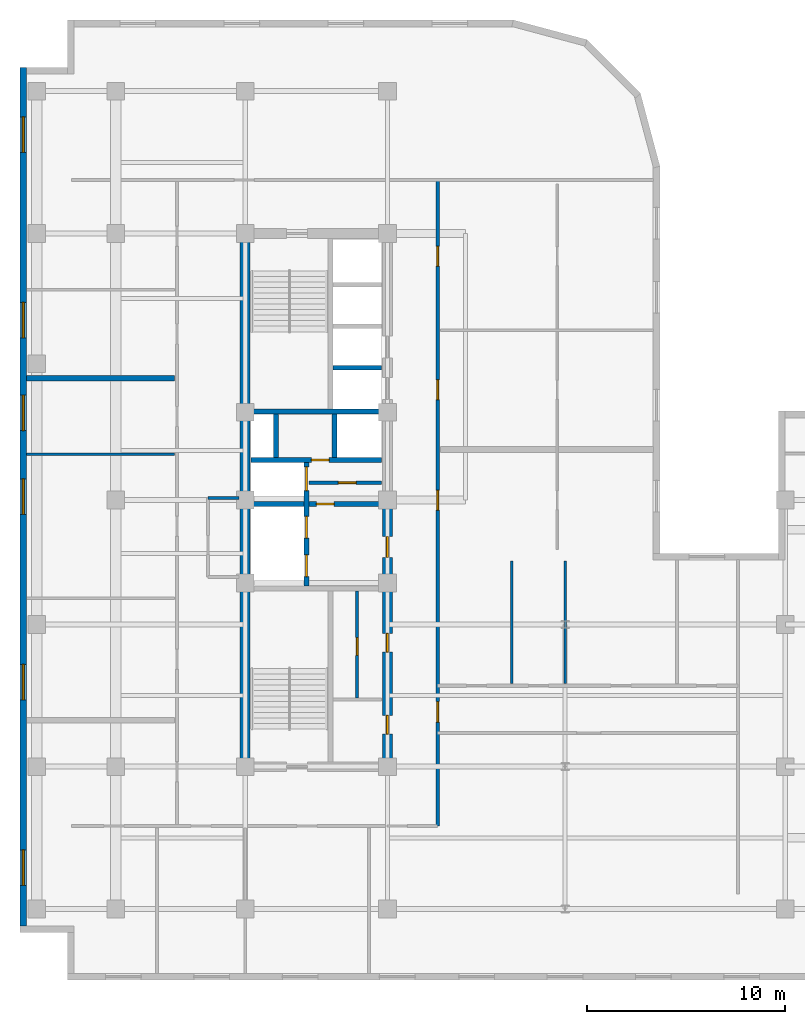
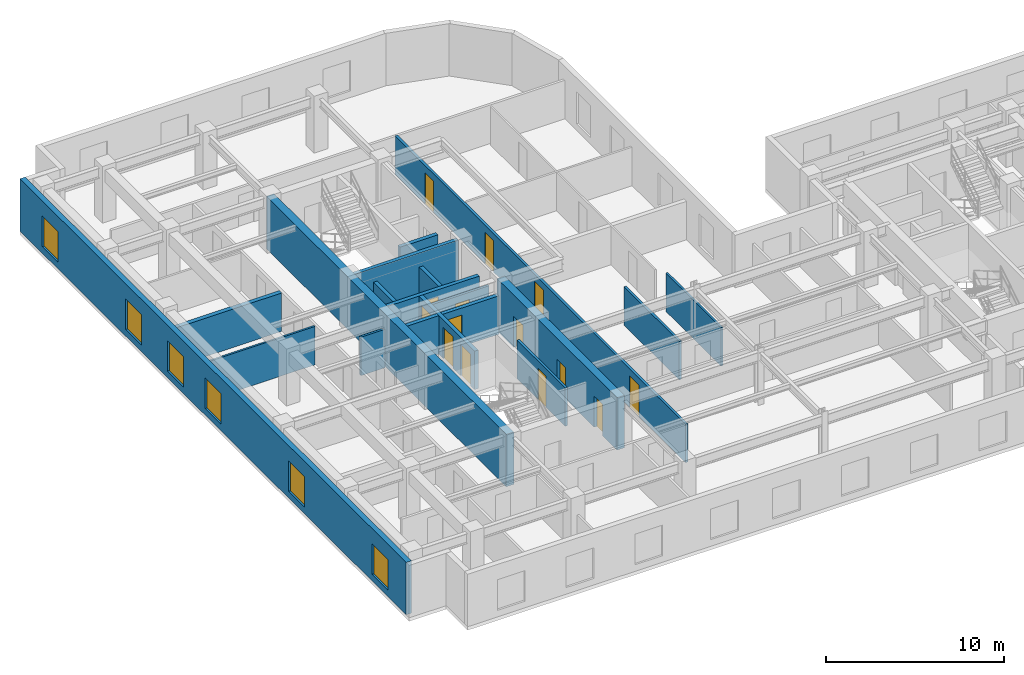
# One storey, part 5 of 11: 18 walls, 14 doors, 6 windows, 20 openings.
"""IFC4 building model written with IfcOpenShell, lengths in metres."""

from ifc_helpers import new_model, entity, si_unit, converted_unit, direction, frame, origin_with_axes, origin_2d_with_axis, place, context, subcontext, project, spatial, polyline, rectangle, outline, extrude, material, layer, layer_set, type_object, element, fill, save


model = new_model("IFC4")

# Units and contexts
model_context = context("Model", 3, precision=1e-05, world=origin_with_axes(), true_north=direction((0.0, 1.0)))
body_context = subcontext(model_context, "Body", "Model", "MODEL_VIEW")
ifc_project = project(units=[si_unit("LENGTHUNIT", "METRE"), si_unit("AREAUNIT", "SQUARE_METRE"), si_unit("VOLUMEUNIT", "CUBIC_METRE"), converted_unit("PLANEANGLEUNIT", "DEGREE", entity("IfcPlaneAngleMeasure", 0.017453292519943295), si_unit("PLANEANGLEUNIT", "RADIAN"), dimensions=[0, 0, 0, 0, 0, 0, 0]), si_unit("MASSUNIT", "GRAM", prefix="KILO"), si_unit("THERMODYNAMICTEMPERATUREUNIT", "KELVIN")], contexts=[model_context])

# Site, building, storey
site_placement = place(None, origin_with_axes())
site = spatial("IfcSite", under=ifc_project, at=site_placement, CompositionType="ELEMENT")
building_placement = place(site_placement, origin_with_axes())
building = spatial("IfcBuilding", under=site, at=building_placement, Name="Varnlund Millrace Tower", CompositionType="ELEMENT")
storey_placement = place(building_placement, frame((0.0, 0.0, 216.0), z_axis=(0.0, 0.0, 1.0), x_axis=(1.0, 0.0, 0.0)))
storey = spatial("IfcBuildingStorey", under=building, at=storey_placement, Name="L53", CompositionType="ELEMENT", Elevation=216.0)

# Wall
ifc_material_1 = material(Name="Concrete C70/85", Category="concrete")
ifc_layer_1 = layer(ifc_material_1, 0.5, Name="Concrete C70/85")
ifc_layer_set_1 = layer_set([ifc_layer_1], Name="Concrete C70/85")
wall_type_1 = type_object("IfcWallType", Name="Type-CoreWall-Shear-500-C70", PredefinedType="SHEAR", material=ifc_layer_set_1)
wall_1_placement = place(storey_placement, frame((11.4, 10.8, 0.0), z_axis=(0.0, 0.0, 1.0), x_axis=(0.0, 1.0, 0.0)))
element("IfcWall", 1, at=wall_1_placement, inside=storey, type_object=wall_type_1, Name="Type-CoreWall-Shear-500-C70", PredefinedType="SHEAR", context=body_context, shape_type="SweptSolid", body=[
    extrude(outline(polyline([(0.0, -0.25), (27.0, -0.25), (27.0, 0.25), (0.0, 0.25), (0.0, -0.25)])), origin_with_axes(), (0.0, 0.0, 1.0), 3.6),
])

# Wall, openings, doors
wall_2_placement = place(storey_placement, frame((18.6, 10.8, 0.0), z_axis=(0.0, 0.0, 1.0), x_axis=(0.0, 1.0, 0.0)))
wall_2 = element("IfcWall", 2, at=wall_2_placement, inside=storey, type_object=wall_type_1, Name="Type-CoreWall-Shear-500-C70", PredefinedType="SHEAR", context=body_context, shape_type="SweptSolid", body=[
    extrude(outline(polyline([(0.0, -0.25), (13.5, -0.25), (13.5, 0.25), (0.0, 0.25), (0.0, -0.25)])), origin_with_axes(), (0.0, 0.0, 1.0), 3.6),
])
opening_1_placement = place(wall_2_placement, frame((11.125, 0.0, 0.0), z_axis=(0.0, 0.0, 1.0), x_axis=(1.0, 0.0, 0.0)))
opening_1 = element("IfcOpeningElement", 3, at=opening_1_placement, cuts=wall_2, Name="Opening L53:DR-FFLOB-A", PredefinedType="OPENING", context=body_context, shape_type="SweptSolid", body=[
    extrude(rectangle(XDim=1.05, YDim=0.52, at=origin_2d_with_axis()), origin_with_axes(), (0.0, 0.0, 1.0), 2.15),
])
opening_2_placement = place(wall_2_placement, frame((2.125, 0.0, 0.0), z_axis=(0.0, 0.0, 1.0), x_axis=(1.0, 0.0, 0.0)))
opening_2 = element("IfcOpeningElement", 4, at=opening_2_placement, cuts=wall_2, Name="Opening L53:DR-RECL-A1-1", PredefinedType="OPENING", context=body_context, shape_type="SweptSolid", body=[
    extrude(rectangle(XDim=0.95, YDim=0.52, at=origin_2d_with_axis()), origin_with_axes(), (0.0, 0.0, 1.0), 2.15),
])
opening_3_placement = place(wall_2_placement, frame((6.275, 0.0, 0.0), z_axis=(0.0, 0.0, 1.0), x_axis=(1.0, 0.0, 0.0)))
opening_3 = element("IfcOpeningElement", 5, at=opening_3_placement, cuts=wall_2, Name="Opening L53:DR-RECL-A1-3", PredefinedType="OPENING", context=body_context, shape_type="SweptSolid", body=[
    extrude(rectangle(XDim=0.95, YDim=0.52, at=origin_2d_with_axis()), origin_with_axes(), (0.0, 0.0, 1.0), 2.15),
])
ifc_material_2 = material(Name="Smoke-barrier hollow steel fire door", Category="steel")
door_type_1 = type_object("IfcDoorType", Name="Type-FireDoor-Lobby-1050X2150", OperationType="NOTDEFINED", PredefinedType="DOOR", material=ifc_material_2)
door_1_placement = place(wall_2_placement, frame((11.125, 0.0, 0.0), z_axis=(0.0, 0.0, 1.0), x_axis=(1.0, 0.0, 0.0)))
door_1 = element("IfcDoor", 6, at=door_1_placement, inside=storey, type_object=door_type_1, Name="Type-FireDoor-Lobby-1050X2150", OperationType="SINGLE_SWING_LEFT", OverallHeight=2.15, OverallWidth=1.05, PredefinedType="DOOR", context=body_context, shape_type="SweptSolid", body=[
    extrude(rectangle(XDim=1.05, YDim=0.09, at=origin_2d_with_axis()), origin_with_axes(), (0.0, 0.0, 1.0), 2.15),
])
fill(opening_1, door_1)
ifc_material_3 = material(Name="Fire-rated hollow steel core service door", Category="steel")
door_type_2 = type_object("IfcDoorType", Name="Type-FireDoor-Service-950X2150", OperationType="NOTDEFINED", PredefinedType="DOOR", material=ifc_material_3)
door_2_placement = place(wall_2_placement, frame((2.125, 0.0, 0.0), z_axis=(0.0, 0.0, 1.0), x_axis=(1.0, 0.0, 0.0)))
door_2 = element("IfcDoor", 7, at=door_2_placement, inside=storey, type_object=door_type_2, Name="Type-FireDoor-Service-950X2150", OperationType="SINGLE_SWING_LEFT", OverallHeight=2.15, OverallWidth=0.95, PredefinedType="DOOR", context=body_context, shape_type="SweptSolid", body=[
    extrude(rectangle(XDim=0.95, YDim=0.09, at=origin_2d_with_axis()), origin_with_axes(), (0.0, 0.0, 1.0), 2.15),
])
fill(opening_2, door_2)
door_3_placement = place(wall_2_placement, frame((6.275, 0.0, 0.0), z_axis=(0.0, 0.0, 1.0), x_axis=(1.0, 0.0, 0.0)))
door_3 = element("IfcDoor", 8, at=door_3_placement, inside=storey, type_object=door_type_2, Name="Type-FireDoor-Service-950X2150", OperationType="SINGLE_SWING_RIGHT", OverallHeight=2.15, OverallWidth=0.95, PredefinedType="DOOR", context=body_context, shape_type="SweptSolid", body=[
    extrude(rectangle(XDim=0.95, YDim=0.09, at=origin_2d_with_axis()), origin_with_axes(), (0.0, 0.0, 1.0), 2.15),
])
fill(opening_3, door_3)

# Wall, openings, windows
ifc_material_4 = material(Name="Precast concrete C50/60", Category="concrete")
ifc_layer_2 = layer(ifc_material_4, 0.34, Name="Precast concrete C50/60")
ifc_layer_set_2 = layer_set([ifc_layer_2], Name="Precast concrete C50/60")
wall_type_2 = type_object("IfcWallType", Name="Type-ExtWall-Precast-Upper-340", PredefinedType="SOLIDWALL", material=ifc_layer_set_2)
wall_3_placement = place(storey_placement, frame((0.17, 2.74, 0.0), z_axis=(0.0, 0.0, 1.0), x_axis=(0.0, 1.0, 0.0)))
wall_3 = element("IfcWall", 9, at=wall_3_placement, inside=storey, type_object=wall_type_2, Name="Type-ExtWall-Precast-Upper-340", PredefinedType="SOLIDWALL", context=body_context, shape_type="SweptSolid", body=[
    extrude(outline(polyline([(0.0, -0.17), (43.46, -0.17), (43.46, 0.17), (0.0, 0.17), (0.0, -0.17)])), origin_with_axes(), (0.0, 0.0, 1.0), 3.6),
])
opening_4_placement = place(wall_3_placement, frame((2.948, 0.0, 0.45), z_axis=(0.0, 0.0, 1.0), x_axis=(1.0, 0.0, 0.0)))
opening_4 = element("IfcOpeningElement", 10, at=opening_4_placement, cuts=wall_3, Name="Opening L53:WN-20", PredefinedType="OPENING", context=body_context, shape_type="SweptSolid", body=[
    extrude(rectangle(XDim=1.8, YDim=0.36, at=origin_2d_with_axis()), origin_with_axes(), (0.0, 0.0, 1.0), 2.1),
])
opening_5_placement = place(wall_3_placement, frame((12.339, 0.0, 0.45), z_axis=(0.0, 0.0, 1.0), x_axis=(1.0, 0.0, 0.0)))
opening_5 = element("IfcOpeningElement", 11, at=opening_5_placement, cuts=wall_3, Name="Opening L53:WN-21", PredefinedType="OPENING", context=body_context, shape_type="SweptSolid", body=[
    extrude(rectangle(XDim=1.8, YDim=0.36, at=origin_2d_with_axis()), origin_with_axes(), (0.0, 0.0, 1.0), 2.1),
])
opening_6_placement = place(wall_3_placement, frame((21.73, 0.0, 0.45), z_axis=(0.0, 0.0, 1.0), x_axis=(1.0, 0.0, 0.0)))
opening_6 = element("IfcOpeningElement", 12, at=opening_6_placement, cuts=wall_3, Name="Opening L53:WN-22", PredefinedType="OPENING", context=body_context, shape_type="SweptSolid", body=[
    extrude(rectangle(XDim=1.8, YDim=0.36, at=origin_2d_with_axis()), origin_with_axes(), (0.0, 0.0, 1.0), 2.1),
])
opening_7_placement = place(wall_3_placement, frame((25.976, 0.0, 0.45), z_axis=(0.0, 0.0, 1.0), x_axis=(1.0, 0.0, 0.0)))
opening_7 = element("IfcOpeningElement", 13, at=opening_7_placement, cuts=wall_3, Name="Opening L53:WN-23", PredefinedType="OPENING", context=body_context, shape_type="SweptSolid", body=[
    extrude(rectangle(XDim=1.8, YDim=0.36, at=origin_2d_with_axis()), origin_with_axes(), (0.0, 0.0, 1.0), 2.1),
])
opening_8_placement = place(wall_3_placement, frame((30.671, 0.0, 0.45), z_axis=(0.0, 0.0, 1.0), x_axis=(1.0, 0.0, 0.0)))
opening_8 = element("IfcOpeningElement", 14, at=opening_8_placement, cuts=wall_3, Name="Opening L53:WN-24", PredefinedType="OPENING", context=body_context, shape_type="SweptSolid", body=[
    extrude(rectangle(XDim=1.8, YDim=0.36, at=origin_2d_with_axis()), origin_with_axes(), (0.0, 0.0, 1.0), 2.1),
])
opening_9_placement = place(wall_3_placement, frame((40.062, 0.0, 0.45), z_axis=(0.0, 0.0, 1.0), x_axis=(1.0, 0.0, 0.0)))
opening_9 = element("IfcOpeningElement", 15, at=opening_9_placement, cuts=wall_3, Name="Opening L53:WN-25", PredefinedType="OPENING", context=body_context, shape_type="SweptSolid", body=[
    extrude(rectangle(XDim=1.8, YDim=0.36, at=origin_2d_with_axis()), origin_with_axes(), (0.0, 0.0, 1.0), 2.1),
])
ifc_material_5 = material(Name="Argon low-e triple glazing in thermally broken bronze frame", Category="glass")
window_type = type_object("IfcWindowType", Name="Type-Window-Punched-1800X2100", PartitioningType="SINGLE_PANEL", PredefinedType="WINDOW", material=ifc_material_5)
window_1_placement = place(wall_3_placement, frame((2.948, 0.0, 0.45), z_axis=(0.0, 0.0, 1.0), x_axis=(1.0, 0.0, 0.0)))
window_1 = element("IfcWindow", 16, at=window_1_placement, inside=storey, type_object=window_type, Name="Type-Window-Punched-1800X2100", OverallHeight=2.1, OverallWidth=1.8, PredefinedType="WINDOW", context=body_context, shape_type="SweptSolid", body=[
    extrude(rectangle(XDim=1.8, YDim=0.09, at=origin_2d_with_axis()), origin_with_axes(), (0.0, 0.0, 1.0), 2.1),
])
fill(opening_4, window_1)
window_2_placement = place(wall_3_placement, frame((12.339, 0.0, 0.45), z_axis=(0.0, 0.0, 1.0), x_axis=(1.0, 0.0, 0.0)))
window_2 = element("IfcWindow", 17, at=window_2_placement, inside=storey, type_object=window_type, Name="Type-Window-Punched-1800X2100", OverallHeight=2.1, OverallWidth=1.8, PredefinedType="WINDOW", context=body_context, shape_type="SweptSolid", body=[
    extrude(rectangle(XDim=1.8, YDim=0.09, at=origin_2d_with_axis()), origin_with_axes(), (0.0, 0.0, 1.0), 2.1),
])
fill(opening_5, window_2)
window_3_placement = place(wall_3_placement, frame((21.73, 0.0, 0.45), z_axis=(0.0, 0.0, 1.0), x_axis=(1.0, 0.0, 0.0)))
window_3 = element("IfcWindow", 18, at=window_3_placement, inside=storey, type_object=window_type, Name="Type-Window-Punched-1800X2100", OverallHeight=2.1, OverallWidth=1.8, PredefinedType="WINDOW", context=body_context, shape_type="SweptSolid", body=[
    extrude(rectangle(XDim=1.8, YDim=0.09, at=origin_2d_with_axis()), origin_with_axes(), (0.0, 0.0, 1.0), 2.1),
])
fill(opening_6, window_3)
window_4_placement = place(wall_3_placement, frame((25.976, 0.0, 0.45), z_axis=(0.0, 0.0, 1.0), x_axis=(1.0, 0.0, 0.0)))
window_4 = element("IfcWindow", 19, at=window_4_placement, inside=storey, type_object=window_type, Name="Type-Window-Punched-1800X2100", OverallHeight=2.1, OverallWidth=1.8, PredefinedType="WINDOW", context=body_context, shape_type="SweptSolid", body=[
    extrude(rectangle(XDim=1.8, YDim=0.09, at=origin_2d_with_axis()), origin_with_axes(), (0.0, 0.0, 1.0), 2.1),
])
fill(opening_7, window_4)
window_5_placement = place(wall_3_placement, frame((30.671, 0.0, 0.45), z_axis=(0.0, 0.0, 1.0), x_axis=(1.0, 0.0, 0.0)))
window_5 = element("IfcWindow", 20, at=window_5_placement, inside=storey, type_object=window_type, Name="Type-Window-Punched-1800X2100", OverallHeight=2.1, OverallWidth=1.8, PredefinedType="WINDOW", context=body_context, shape_type="SweptSolid", body=[
    extrude(rectangle(XDim=1.8, YDim=0.09, at=origin_2d_with_axis()), origin_with_axes(), (0.0, 0.0, 1.0), 2.1),
])
fill(opening_8, window_5)
window_6_placement = place(wall_3_placement, frame((40.062, 0.0, 0.45), z_axis=(0.0, 0.0, 1.0), x_axis=(1.0, 0.0, 0.0)))
window_6 = element("IfcWindow", 21, at=window_6_placement, inside=storey, type_object=window_type, Name="Type-Window-Punched-1800X2100", OverallHeight=2.1, OverallWidth=1.8, PredefinedType="WINDOW", context=body_context, shape_type="SweptSolid", body=[
    extrude(rectangle(XDim=1.8, YDim=0.09, at=origin_2d_with_axis()), origin_with_axes(), (0.0, 0.0, 1.0), 2.1),
])
fill(opening_9, window_6)

# Wall
ifc_material_6 = material(Name="Double-stud STC-60 conference acoustic partition", Category="gypsum")
ifc_layer_3 = layer(ifc_material_6, 0.28, Name="Double-stud STC-60 conference acoustic partition")
ifc_layer_set_3 = layer_set([ifc_layer_3], Name="Double-stud STC-60 conference acoustic partition")
wall_type_3 = type_object("IfcWallType", Name="Type-Partition-Acoustic-280", PredefinedType="PARTITIONING", material=ifc_layer_set_3)
wall_4_placement = place(storey_placement, frame((0.335, 30.464, 0.0), z_axis=(0.0, 0.0, 1.0), x_axis=(1.0, 0.0, 0.0)))
element("IfcWall", 22, at=wall_4_placement, inside=storey, type_object=wall_type_3, Name="Type-Partition-Acoustic-280", PredefinedType="PARTITIONING", context=body_context, shape_type="SweptSolid", body=[
    extrude(outline(polyline([(0.0, -0.14), (7.495, -0.14), (7.495, 0.14), (0.0, 0.14), (0.0, -0.14)])), origin_with_axes(), (0.0, 0.0, 1.0), 2.64),
])

# Wall, opening, door
ifc_material_7 = material(Name="Fire-rated gypsum board on cold-formed steel framing", Category="steel")
ifc_layer_4 = layer(ifc_material_7, 0.16, Name="Fire-rated gypsum board on cold-formed steel framing")
ifc_layer_set_4 = layer_set([ifc_layer_4], Name="Fire-rated gypsum board on cold-formed steel framing")
wall_type_4 = type_object("IfcWallType", Name="Type-Partition-Corridor-160", PredefinedType="PARTITIONING", material=ifc_layer_set_4)
wall_5_placement = place(storey_placement, frame((14.62, 25.18, 0.0), z_axis=(0.0, 0.0, 1.0), x_axis=(1.0, 0.0, 0.0)))
wall_5 = element("IfcWall", 23, at=wall_5_placement, inside=storey, type_object=wall_type_4, Name="Type-Partition-Corridor-160", PredefinedType="PARTITIONING", context=body_context, shape_type="SweptSolid", body=[
    extrude(outline(polyline([(0.0, -0.08), (3.68, -0.08), (3.68, 0.08), (0.0, 0.08), (0.0, -0.08)])), origin_with_axes(), (0.0, 0.0, 1.0), 2.64),
])
opening_10_placement = place(wall_5_placement, frame((1.95, 0.0, 0.0), z_axis=(0.0, 0.0, 1.0), x_axis=(1.0, 0.0, 0.0)))
opening_10 = element("IfcOpeningElement", 24, at=opening_10_placement, cuts=wall_5, Name="Opening L53:DR-CA-SUB2", PredefinedType="OPENING", context=body_context, shape_type="SweptSolid", body=[
    extrude(rectangle(XDim=0.9, YDim=0.18, at=origin_2d_with_axis()), origin_with_axes(), (0.0, 0.0, 1.0), 2.15),
])
ifc_material_8 = material(Name="Painted steel riser and closet door", Category="steel")
door_type_3 = type_object("IfcDoorType", Name="Type-IntDoor-Closet-900X2150", OperationType="NOTDEFINED", PredefinedType="DOOR", material=ifc_material_8)
door_4_placement = place(wall_5_placement, frame((1.95, 0.0, 0.0), z_axis=(0.0, 0.0, 1.0), x_axis=(1.0, 0.0, 0.0)))
door_4 = element("IfcDoor", 25, at=door_4_placement, inside=storey, type_object=door_type_3, Name="Type-IntDoor-Closet-900X2150", OperationType="SINGLE_SWING_LEFT", OverallHeight=2.15, OverallWidth=0.9, PredefinedType="DOOR", context=body_context, shape_type="SweptSolid", body=[
    extrude(rectangle(XDim=0.9, YDim=0.09, at=origin_2d_with_axis()), origin_with_axes(), (0.0, 0.0, 1.0), 2.15),
])
fill(opening_10, door_4)

wall_6_placement = place(storey_placement, frame((17.07, 14.28, 0.0), z_axis=(0.0, 0.0, 1.0), x_axis=(0.0, 1.0, 0.0)))
wall_6 = element("IfcWall", 26, at=wall_6_placement, inside=storey, type_object=wall_type_4, Name="Type-Partition-Corridor-160", PredefinedType="PARTITIONING", context=body_context, shape_type="SweptSolid", body=[
    extrude(outline(polyline([(0.0, -0.08), (5.42, -0.08), (5.42, 0.08), (0.0, 0.08), (0.0, -0.08)])), origin_with_axes(), (0.0, 0.0, 1.0), 2.64),
])
opening_11_placement = place(wall_6_placement, frame((2.6, 0.0, 0.0), z_axis=(0.0, 0.0, 1.0), x_axis=(1.0, 0.0, 0.0)))
opening_11 = element("IfcOpeningElement", 27, at=opening_11_placement, cuts=wall_6, Name="Opening L53:DR-RECL-A1-2", PredefinedType="OPENING", context=body_context, shape_type="SweptSolid", body=[
    extrude(rectangle(XDim=0.9, YDim=0.18, at=origin_2d_with_axis()), origin_with_axes(), (0.0, 0.0, 1.0), 2.15),
])
door_5_placement = place(wall_6_placement, frame((2.6, 0.0, 0.0), z_axis=(0.0, 0.0, 1.0), x_axis=(1.0, 0.0, 0.0)))
door_5 = element("IfcDoor", 28, at=door_5_placement, inside=storey, type_object=door_type_3, Name="Type-IntDoor-Closet-900X2150", OperationType="SINGLE_SWING_LEFT", OverallHeight=2.15, OverallWidth=0.9, PredefinedType="DOOR", context=body_context, shape_type="SweptSolid", body=[
    extrude(rectangle(XDim=0.9, YDim=0.09, at=origin_2d_with_axis()), origin_with_axes(), (0.0, 0.0, 1.0), 2.15),
])
fill(opening_11, door_5)

# Wall, openings, doors
wall_7_placement = place(storey_placement, frame((21.15, 7.8, 0.0), z_axis=(0.0, 0.0, 1.0), x_axis=(0.0, 1.0, 0.0)))
wall_7 = element("IfcWall", 29, at=wall_7_placement, inside=storey, type_object=wall_type_4, Name="Type-Partition-Corridor-160", PredefinedType="PARTITIONING", context=body_context, shape_type="SweptSolid", body=[
    extrude(outline(polyline([(0.0, -0.08), (32.7, -0.08), (32.7, 0.08), (0.0, 0.08), (0.0, -0.08)])), origin_with_axes(), (0.0, 0.0, 1.0), 2.64),
])
opening_12_placement = place(wall_7_placement, frame((16.495, 0.0, 0.0), z_axis=(0.0, 0.0, 1.0), x_axis=(1.0, 0.0, 0.0)))
opening_12 = element("IfcOpeningElement", 30, at=opening_12_placement, cuts=wall_7, Name="Opening L53:DR-FLR-01", PredefinedType="OPENING", context=body_context, shape_type="SweptSolid", body=[
    extrude(rectangle(XDim=1.0, YDim=0.18, at=origin_2d_with_axis()), origin_with_axes(), (0.0, 0.0, 1.0), 2.15),
])
opening_13_placement = place(wall_7_placement, frame((22.084, 0.0, 0.0), z_axis=(0.0, 0.0, 1.0), x_axis=(1.0, 0.0, 0.0)))
opening_13 = element("IfcOpeningElement", 31, at=opening_13_placement, cuts=wall_7, Name="Opening L53:DR-FLR-02", PredefinedType="OPENING", context=body_context, shape_type="SweptSolid", body=[
    extrude(rectangle(XDim=1.0, YDim=0.18, at=origin_2d_with_axis()), origin_with_axes(), (0.0, 0.0, 1.0), 2.15),
])
opening_14_placement = place(wall_7_placement, frame((28.839, 0.0, 0.0), z_axis=(0.0, 0.0, 1.0), x_axis=(1.0, 0.0, 0.0)))
opening_14 = element("IfcOpeningElement", 32, at=opening_14_placement, cuts=wall_7, Name="Opening L53:DR-FLR-03", PredefinedType="OPENING", context=body_context, shape_type="SweptSolid", body=[
    extrude(rectangle(XDim=1.0, YDim=0.18, at=origin_2d_with_axis()), origin_with_axes(), (0.0, 0.0, 1.0), 2.15),
])
opening_15_placement = place(wall_7_placement, frame((5.775, 0.0, 0.0), z_axis=(0.0, 0.0, 1.0), x_axis=(1.0, 0.0, 0.0)))
opening_15 = element("IfcOpeningElement", 33, at=opening_15_placement, cuts=wall_7, Name="Opening L53:DR-KN-W", PredefinedType="OPENING", context=body_context, shape_type="SweptSolid", body=[
    extrude(rectangle(XDim=1.05, YDim=0.18, at=origin_2d_with_axis()), origin_with_axes(), (0.0, 0.0, 1.0), 2.15),
])
door_6_placement = place(wall_7_placement, frame((5.775, 0.0, 0.0), z_axis=(0.0, 0.0, 1.0), x_axis=(1.0, 0.0, 0.0)))
door_6 = element("IfcDoor", 34, at=door_6_placement, inside=storey, type_object=door_type_1, Name="Type-FireDoor-Lobby-1050X2150", OperationType="SINGLE_SWING_LEFT", OverallHeight=2.15, OverallWidth=1.05, PredefinedType="DOOR", context=body_context, shape_type="SweptSolid", body=[
    extrude(rectangle(XDim=1.05, YDim=0.09, at=origin_2d_with_axis()), origin_with_axes(), (0.0, 0.0, 1.0), 2.15),
])
fill(opening_15, door_6)
ifc_material_9 = material(Name="Solid-core white oak and bronze frame door")
door_type_4 = type_object("IfcDoorType", Name="Type-IntDoor-Office-1000X2150", OperationType="NOTDEFINED", PredefinedType="DOOR", material=ifc_material_9)
door_7_placement = place(wall_7_placement, frame((16.495, 0.0, 0.0), z_axis=(0.0, 0.0, 1.0), x_axis=(1.0, 0.0, 0.0)))
door_7 = element("IfcDoor", 35, at=door_7_placement, inside=storey, type_object=door_type_4, Name="Type-IntDoor-Office-1000X2150", OperationType="SINGLE_SWING_LEFT", OverallHeight=2.15, OverallWidth=1.0, PredefinedType="DOOR", context=body_context, shape_type="SweptSolid", body=[
    extrude(rectangle(XDim=1.0, YDim=0.09, at=origin_2d_with_axis()), origin_with_axes(), (0.0, 0.0, 1.0), 2.15),
])
fill(opening_12, door_7)
door_8_placement = place(wall_7_placement, frame((22.084, 0.0, 0.0), z_axis=(0.0, 0.0, 1.0), x_axis=(1.0, 0.0, 0.0)))
door_8 = element("IfcDoor", 36, at=door_8_placement, inside=storey, type_object=door_type_4, Name="Type-IntDoor-Office-1000X2150", OperationType="SINGLE_SWING_RIGHT", OverallHeight=2.15, OverallWidth=1.0, PredefinedType="DOOR", context=body_context, shape_type="SweptSolid", body=[
    extrude(rectangle(XDim=1.0, YDim=0.09, at=origin_2d_with_axis()), origin_with_axes(), (0.0, 0.0, 1.0), 2.15),
])
fill(opening_13, door_8)
door_9_placement = place(wall_7_placement, frame((28.839, 0.0, 0.0), z_axis=(0.0, 0.0, 1.0), x_axis=(1.0, 0.0, 0.0)))
door_9 = element("IfcDoor", 37, at=door_9_placement, inside=storey, type_object=door_type_4, Name="Type-IntDoor-Office-1000X2150", OperationType="SINGLE_SWING_LEFT", OverallHeight=2.15, OverallWidth=1.0, PredefinedType="DOOR", context=body_context, shape_type="SweptSolid", body=[
    extrude(rectangle(XDim=1.0, YDim=0.09, at=origin_2d_with_axis()), origin_with_axes(), (0.0, 0.0, 1.0), 2.15),
])
fill(opening_14, door_9)

# Walls
ifc_material_10 = material(Name="Acoustic STC-50 gypsum board partition", Category="gypsum")
ifc_layer_5 = layer(ifc_material_10, 0.15, Name="Acoustic STC-50 gypsum board partition")
ifc_layer_set_5 = layer_set([ifc_layer_5], Name="Acoustic STC-50 gypsum board partition")
wall_type_5 = type_object("IfcWallType", Name="Type-Partition-Demising-150", PredefinedType="PARTITIONING", material=ifc_layer_set_5)
wall_8_placement = place(storey_placement, frame((24.898, 15.02, 0.0), z_axis=(0.0, 0.0, 1.0), x_axis=(0.0, 1.0, 0.0)))
element("IfcWall", 38, at=wall_8_placement, inside=storey, type_object=wall_type_5, Name="Type-Partition-Demising-150", PredefinedType="PARTITIONING", context=body_context, shape_type="SweptSolid", body=[
    extrude(outline(polyline([(0.0, -0.075), (6.2, -0.075), (6.2, 0.075), (0.0, 0.075), (0.0, -0.075)])), origin_with_axes(), (0.0, 0.0, 1.0), 2.64),
])
ifc_material_11 = material(Name="Gypsum board tenant partition", Category="gypsum")
ifc_layer_6 = layer(ifc_material_11, 0.125, Name="Gypsum board tenant partition")
ifc_layer_set_6 = layer_set([ifc_layer_6], Name="Gypsum board tenant partition")
wall_type_6 = type_object("IfcWallType", Name="Type-Partition-Tenant-125", PredefinedType="PARTITIONING", material=ifc_layer_set_6)
wall_9_placement = place(storey_placement, frame((0.335, 26.608, 0.0), z_axis=(0.0, 0.0, 1.0), x_axis=(1.0, 0.0, 0.0)))
element("IfcWall", 39, at=wall_9_placement, inside=storey, type_object=wall_type_6, Name="Type-Partition-Tenant-125", PredefinedType="PARTITIONING", context=body_context, shape_type="SweptSolid", body=[
    extrude(outline(polyline([(0.0, -0.0625), (7.495, -0.0625), (7.495, 0.0625), (0.0, 0.0625), (0.0, -0.0625)])), origin_with_axes(), (0.0, 0.0, 1.0), 2.64),
])
wall_10_placement = place(storey_placement, frame((27.6, 15.02, 0.0), z_axis=(0.0, 0.0, 1.0), x_axis=(0.0, 1.0, 0.0)))
element("IfcWall", 40, at=wall_10_placement, inside=storey, type_object=wall_type_6, Name="Type-Partition-Tenant-125", PredefinedType="PARTITIONING", context=body_context, shape_type="SweptSolid", body=[
    extrude(outline(polyline([(0.0, -0.0625), (6.2, -0.0625), (6.2, 0.0625), (0.0, 0.0625), (0.0, -0.0625)])), origin_with_axes(), (0.0, 0.0, 1.0), 2.64),
])
ifc_material_12 = material(Name="Moisture-resistant gypsum restroom partition", Category="gypsum")
ifc_layer_7 = layer(ifc_material_12, 0.14, Name="Moisture-resistant gypsum restroom partition")
ifc_layer_set_7 = layer_set([ifc_layer_7], Name="Moisture-resistant gypsum restroom partition")
wall_type_7 = type_object("IfcWallType", Name="Type-Partition-Wet-140", PredefinedType="PARTITIONING", material=ifc_layer_set_7)
wall_11_placement = place(storey_placement, frame((9.52, 24.4, 0.0), z_axis=(0.0, 0.0, 1.0), x_axis=(1.0, 0.0, 0.0)))
element("IfcWall", 41, at=wall_11_placement, inside=storey, type_object=wall_type_7, Name="Type-Partition-Wet-140", PredefinedType="PARTITIONING", context=body_context, shape_type="SweptSolid", body=[
    extrude(outline(polyline([(0.0, -0.07), (1.58, -0.07), (1.58, 0.07), (0.0, 0.07), (0.0, -0.07)])), origin_with_axes(), (0.0, 0.0, 1.0), 2.64),
])

# Wall, openings, doors
ifc_material_13 = material(Name="Concrete C60/75", Category="concrete")
ifc_layer_8 = layer(ifc_material_13, 0.25, Name="Concrete C60/75")
ifc_layer_set_8 = layer_set([ifc_layer_8], Name="Concrete C60/75")
wall_type_8 = type_object("IfcWallType", Name="Type-ShaftWall-Fire-250", PredefinedType="SOLIDWALL", material=ifc_layer_set_8)
wall_12_placement = place(storey_placement, frame((14.5, 19.95, 0.0), z_axis=(0.0, 0.0, 1.0), x_axis=(0.0, 1.0, 0.0)))
wall_12 = element("IfcWall", 42, at=wall_12_placement, inside=storey, type_object=wall_type_8, Name="Type-ShaftWall-Fire-250", PredefinedType="SOLIDWALL", context=body_context, shape_type="SweptSolid", body=[
    extrude(outline(polyline([(0.0, -0.125), (6.25, -0.125), (6.25, 0.125), (0.0, 0.125), (0.0, -0.125)])), origin_with_axes(), (0.0, 0.0, 1.0), 2.64),
])
opening_16_placement = place(wall_12_placement, frame((1.025, 0.0, 0.0), z_axis=(0.0, 0.0, 1.0), x_axis=(1.0, 0.0, 0.0)))
opening_16 = element("IfcOpeningElement", 43, at=opening_16_placement, cuts=wall_12, Name="Opening L53:LD-FSAE1", PredefinedType="OPENING", context=body_context, shape_type="SweptSolid", body=[
    extrude(rectangle(XDim=1.1, YDim=0.27, at=origin_2d_with_axis()), origin_with_axes(), (0.0, 0.0, 1.0), 2.15),
])
opening_17_placement = place(wall_12_placement, frame((2.975, 0.0, 0.0), z_axis=(0.0, 0.0, 1.0), x_axis=(1.0, 0.0, 0.0)))
opening_17 = element("IfcOpeningElement", 44, at=opening_17_placement, cuts=wall_12, Name="Opening L53:LD-FSAE2", PredefinedType="OPENING", context=body_context, shape_type="SweptSolid", body=[
    extrude(rectangle(XDim=1.1, YDim=0.27, at=origin_2d_with_axis()), origin_with_axes(), (0.0, 0.0, 1.0), 2.15),
])
opening_18_placement = place(wall_12_placement, frame((5.425, 0.0, 0.0), z_axis=(0.0, 0.0, 1.0), x_axis=(1.0, 0.0, 0.0)))
opening_18 = element("IfcOpeningElement", 45, at=opening_18_placement, cuts=wall_12, Name="Opening L53:LD-SRV1", PredefinedType="OPENING", context=body_context, shape_type="SweptSolid", body=[
    extrude(rectangle(XDim=1.2, YDim=0.27, at=origin_2d_with_axis()), origin_with_axes(), (0.0, 0.0, 1.0), 2.15),
])
ifc_material_14 = material(Name="Stainless and architectural bronze sliding landing door")
door_type_5 = type_object("IfcDoorType", Name="Type-LiftLandingDoor-1100X2150", OperationType="NOTDEFINED", PredefinedType="DOOR", material=ifc_material_14)
door_10_placement = place(wall_12_placement, frame((1.025, 0.0, 0.0), z_axis=(0.0, 0.0, 1.0), x_axis=(1.0, 0.0, 0.0)))
door_10 = element("IfcDoor", 46, at=door_10_placement, inside=storey, type_object=door_type_5, Name="Type-LiftLandingDoor-1100X2150", OperationType="SLIDING_TO_LEFT", OverallHeight=2.15, OverallWidth=1.1, PredefinedType="DOOR", context=body_context, shape_type="SweptSolid", body=[
    extrude(rectangle(XDim=1.1, YDim=0.09, at=origin_2d_with_axis()), origin_with_axes(), (0.0, 0.0, 1.0), 2.15),
])
fill(opening_16, door_10)
door_11_placement = place(wall_12_placement, frame((2.975, 0.0, 0.0), z_axis=(0.0, 0.0, 1.0), x_axis=(1.0, 0.0, 0.0)))
door_11 = element("IfcDoor", 47, at=door_11_placement, inside=storey, type_object=door_type_5, Name="Type-LiftLandingDoor-1100X2150", OperationType="SLIDING_TO_RIGHT", OverallHeight=2.15, OverallWidth=1.1, PredefinedType="DOOR", context=body_context, shape_type="SweptSolid", body=[
    extrude(rectangle(XDim=1.1, YDim=0.09, at=origin_2d_with_axis()), origin_with_axes(), (0.0, 0.0, 1.0), 2.15),
])
fill(opening_17, door_11)
ifc_material_15 = material(Name="Heavy-duty freight sliding landing door")
door_type_6 = type_object("IfcDoorType", Name="Type-LiftLandingDoor-Service-1200X2150", OperationType="NOTDEFINED", PredefinedType="DOOR", material=ifc_material_15)
door_12_placement = place(wall_12_placement, frame((5.425, 0.0, 0.0), z_axis=(0.0, 0.0, 1.0), x_axis=(1.0, 0.0, 0.0)))
door_12 = element("IfcDoor", 48, at=door_12_placement, inside=storey, type_object=door_type_6, Name="Type-LiftLandingDoor-Service-1200X2150", OperationType="DOUBLE_DOOR_SLIDING", OverallHeight=2.15, OverallWidth=1.2, PredefinedType="DOOR", context=body_context, shape_type="SweptSolid", body=[
    extrude(rectangle(XDim=1.2, YDim=0.09, at=origin_2d_with_axis()), origin_with_axes(), (0.0, 0.0, 1.0), 2.15),
])
fill(opening_18, door_12)

# Wall, opening, door
wall_13_placement = place(storey_placement, frame((11.7, 24.1, 0.0), z_axis=(0.0, 0.0, 1.0), x_axis=(1.0, 0.0, 0.0)))
wall_13 = element("IfcWall", 49, at=wall_13_placement, inside=storey, type_object=wall_type_8, Name="Type-ShaftWall-Fire-250", PredefinedType="SOLIDWALL", context=body_context, shape_type="SweptSolid", body=[
    extrude(outline(polyline([(0.0, -0.125), (6.6, -0.125), (6.6, 0.125), (0.0, 0.125), (0.0, -0.125)])), origin_with_axes(), (0.0, 0.0, 1.0), 2.64),
])
opening_19_placement = place(wall_13_placement, frame((3.75, 0.0, 0.0), z_axis=(0.0, 0.0, 1.0), x_axis=(1.0, 0.0, 0.0)))
opening_19 = element("IfcOpeningElement", 50, at=opening_19_placement, cuts=wall_13, Name="Opening L53:DR-CA-SUB1", PredefinedType="OPENING", context=body_context, shape_type="SweptSolid", body=[
    extrude(rectangle(XDim=0.9, YDim=0.27, at=origin_2d_with_axis()), origin_with_axes(), (0.0, 0.0, 1.0), 2.15),
])
ifc_material_16 = material(Name="Fire-rated hollow steel service closet door", Category="steel")
door_type_7 = type_object("IfcDoorType", Name="Type-FireDoor-Closet-900X2150", OperationType="NOTDEFINED", PredefinedType="DOOR", material=ifc_material_16)
door_13_placement = place(wall_13_placement, frame((3.75, 0.0, 0.0), z_axis=(0.0, 0.0, 1.0), x_axis=(1.0, 0.0, 0.0)))
door_13 = element("IfcDoor", 51, at=door_13_placement, inside=storey, type_object=door_type_7, Name="Type-FireDoor-Closet-900X2150", OperationType="SINGLE_SWING_LEFT", OverallHeight=2.15, OverallWidth=0.9, PredefinedType="DOOR", context=body_context, shape_type="SweptSolid", body=[
    extrude(rectangle(XDim=0.9, YDim=0.09, at=origin_2d_with_axis()), origin_with_axes(), (0.0, 0.0, 1.0), 2.15),
])
fill(opening_19, door_13)

wall_14_placement = place(storey_placement, frame((11.7, 26.325, 0.0), z_axis=(0.0, 0.0, 1.0), x_axis=(1.0, 0.0, 0.0)))
wall_14 = element("IfcWall", 52, at=wall_14_placement, inside=storey, type_object=wall_type_8, Name="Type-ShaftWall-Fire-250", PredefinedType="SOLIDWALL", context=body_context, shape_type="SweptSolid", body=[
    extrude(outline(polyline([(0.0, -0.125), (6.6, -0.125), (6.6, 0.125), (0.0, 0.125), (0.0, -0.125)])), origin_with_axes(), (0.0, 0.0, 1.0), 2.64),
])
opening_20_placement = place(wall_14_placement, frame((3.5, 0.0, 0.0), z_axis=(0.0, 0.0, 1.0), x_axis=(1.0, 0.0, 0.0)))
opening_20 = element("IfcOpeningElement", 53, at=opening_20_placement, cuts=wall_14, Name="Opening L53:DR-CA-ELC", PredefinedType="OPENING", context=body_context, shape_type="SweptSolid", body=[
    extrude(rectangle(XDim=0.9, YDim=0.27, at=origin_2d_with_axis()), origin_with_axes(), (0.0, 0.0, 1.0), 2.15),
])
door_14_placement = place(wall_14_placement, frame((3.5, 0.0, 0.0), z_axis=(0.0, 0.0, 1.0), x_axis=(1.0, 0.0, 0.0)))
door_14 = element("IfcDoor", 54, at=door_14_placement, inside=storey, type_object=door_type_7, Name="Type-FireDoor-Closet-900X2150", OperationType="SINGLE_SWING_LEFT", OverallHeight=2.15, OverallWidth=0.9, PredefinedType="DOOR", context=body_context, shape_type="SweptSolid", body=[
    extrude(rectangle(XDim=0.9, YDim=0.09, at=origin_2d_with_axis()), origin_with_axes(), (0.0, 0.0, 1.0), 2.15),
])
fill(opening_20, door_14)

# Walls
for number, where, z_axis, x_axis, name in (
    (55, (12.96, 26.45, 0.0), (0.0, 0.0, 1.0), (0.0, 1.0, 0.0), "Type-ShaftWall-Fire-250"),
    (56, (15.925, 26.45, 0.0), (0.0, 0.0, 1.0), (0.0, 1.0, 0.0), "Type-ShaftWall-Fire-250"),
):
    element("IfcWall", number, at=place(storey_placement, frame(where, z_axis=z_axis, x_axis=x_axis)), inside=storey, type_object=wall_type_8, Name=name, PredefinedType="SOLIDWALL", context=body_context, shape_type="SweptSolid", body=[
        extrude(outline(polyline([(0.0, -0.125), (2.2, -0.125), (2.2, 0.125), (0.0, 0.125), (0.0, -0.125)])), origin_with_axes(), (0.0, 0.0, 1.0), 2.64),
    ])
wall_15_placement = place(storey_placement, frame((15.84, 31.0, 0.0), z_axis=(0.0, 0.0, 1.0), x_axis=(1.0, 0.0, 0.0)))
element("IfcWall", 57, at=wall_15_placement, inside=storey, type_object=wall_type_8, Name="Type-ShaftWall-Fire-250", PredefinedType="SOLIDWALL", context=body_context, shape_type="SweptSolid", body=[
    extrude(outline(polyline([(0.0, -0.125), (2.46, -0.125), (2.46, 0.125), (0.0, 0.125), (0.0, -0.125)])), origin_with_axes(), (0.0, 0.0, 1.0), 2.64),
])
wall_type_9 = type_object("IfcWallType", Name="Type-StairWall-Shear-250", PredefinedType="SHEAR", material=ifc_layer_set_8)
wall_16_placement = place(storey_placement, frame((11.65, 28.775, 0.0), z_axis=(0.0, 0.0, 1.0), x_axis=(1.0, 0.0, 0.0)))
element("IfcWall", 58, at=wall_16_placement, inside=storey, type_object=wall_type_9, Name="Type-StairWall-Shear-250", PredefinedType="SHEAR", context=body_context, shape_type="SweptSolid", body=[
    extrude(outline(polyline([(0.0, -0.125), (6.7, -0.125), (6.7, 0.125), (0.0, 0.125), (0.0, -0.125)])), origin_with_axes(), (0.0, 0.0, 1.0), 3.6),
])

save(model, "model.ifc")
